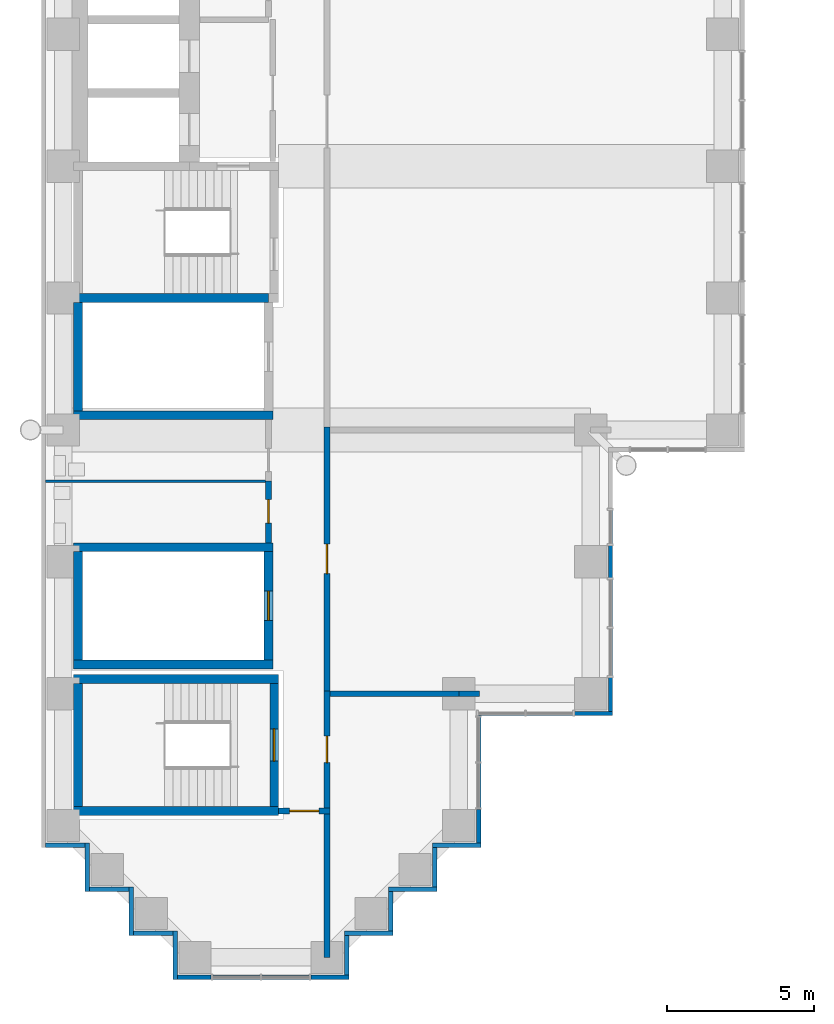
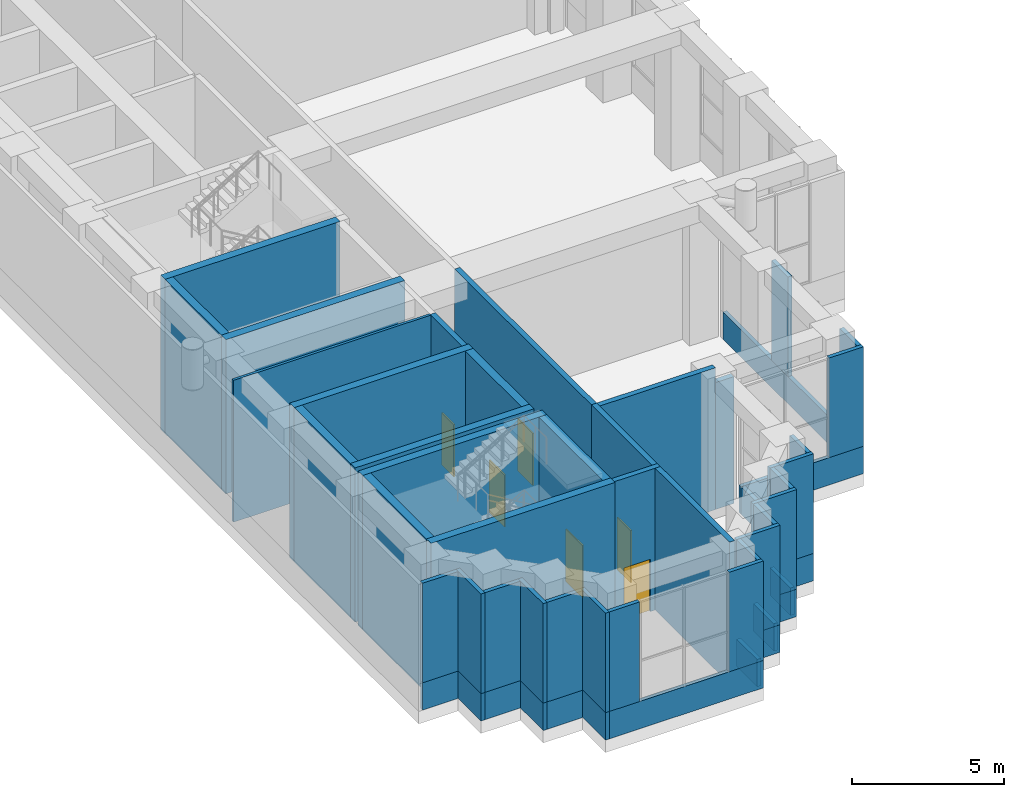
# One storey, part 13 of 22: 53 walls, 6 doors, 6 openings.
"""IFC4 building model written with IfcOpenShell, lengths in metres."""

from ifc_helpers import new_model, si_unit, direction, frame, frame_2d, origin, place, context, subcontext, project, spatial, rectangle, extrude, material, layer, layer_set, type_object, element, fill, save


model = new_model("IFC4")

# Units and contexts
model_context = context("Model", 3, precision=1e-05, world=origin(), true_north=direction((0.0, 1.0)))
body_context = subcontext(model_context, "Body", "Model", "MODEL_VIEW")
ifc_project = project(units=[si_unit("LENGTHUNIT", "METRE"), si_unit("AREAUNIT", "SQUARE_METRE"), si_unit("VOLUMEUNIT", "CUBIC_METRE"), si_unit("PLANEANGLEUNIT", "RADIAN"), si_unit("MASSUNIT", "GRAM", prefix="KILO")], contexts=[model_context])

# Site, building, storey
site_placement = place(None, origin())
site = spatial("IfcSite", under=ifc_project, at=site_placement, CompositionType="ELEMENT")
building_placement = place(site_placement, origin())
building = spatial("IfcBuilding", under=site, at=building_placement, Name="Firuza Court", CompositionType="ELEMENT")
storey_placement = place(building_placement, frame((0.0, 0.0, 113.60009765625)))
storey = spatial("IfcBuildingStorey", under=building, at=storey_placement, Name="L28", CompositionType="ELEMENT", Elevation=113.60009765625)

# Walls
ifc_material_1 = material(Name="Moisture-resistant gypsum board partition")
ifc_layer_1 = layer(ifc_material_1, 0.10009765625)
ifc_layer_set_1 = layer_set([ifc_layer_1], Name="Moisture-resistant gypsum board partition")
wall_type_1 = type_object("IfcWallType", Name="Bathroom partition 100", PredefinedType="PLUMBINGWALL", material=ifc_layer_set_1)
wall_1_placement = place(storey_placement, frame((-0.60009765625, 16.25, 0.0), z_axis=(0.0, 0.0, 1.0), x_axis=(1.0, 0.0, 0.0)))
element("IfcWall", 1, at=wall_1_placement, inside=storey, type_object=wall_type_1, Name="Bathroom partition 100 L28", PredefinedType="PLUMBINGWALL", context=body_context, shape_type="SweptSolid", body=[
    extrude(rectangle(XDim=7.5, YDim=0.10009765625, at=frame_2d((3.75, 0.0))), origin(), (0.0, 0.0, 1.0), 5.699951171875),
])
ifc_material_2 = material(Name="Concrete C60/75", Category="concrete")
ifc_layer_2 = layer(ifc_material_2, 0.300048828125)
ifc_layer_set_2 = layer_set([ifc_layer_2], Name="Concrete C60/75")
wall_type_2 = type_object("IfcWallType", Name="Core wall 300 C60/75", PredefinedType="SHEAR", material=ifc_layer_set_2)
for number, where, z_axis, x_axis, name in (
    (2, (0.35009765625, 5.0, -0.5), (0.0, 0.0, 1.0), (1.0, 0.0, 0.0), "Core wall stair L28"),
    (3, (0.35009765625, 9.5, -0.5), (0.0, 0.0, 1.0), (1.0, 0.0, 0.0), "Core wall stair L28"),
):
    element("IfcWall", number, at=place(storey_placement, frame(where, z_axis=z_axis, x_axis=x_axis)), inside=storey, type_object=wall_type_2, Name=name, PredefinedType="SHEAR", context=body_context, shape_type="SweptSolid", body=[
        extrude(rectangle(XDim=7.0, YDim=0.300048828125, at=frame_2d((3.5, 0.0))), origin(), (0.0, 0.0, 1.0), 6.199951171875),
    ])
for number, where, z_axis, x_axis, name in (
    (4, (0.35009765625, 10.0, -0.5), (0.0, 0.0, 1.0), (1.0, 0.0, 0.0), "Core wall riser L28"),
    (5, (0.35009765625, 14.0, -0.5), (0.0, 0.0, 1.0), (1.0, 0.0, 0.0), "Core wall riser L28"),
    (6, (0.35009765625, 18.5, -0.5), (0.0, 0.0, 1.0), (1.0, 0.0, 0.0), "Core wall riser L28"),
):
    element("IfcWall", number, at=place(storey_placement, frame(where, z_axis=z_axis, x_axis=x_axis)), inside=storey, type_object=wall_type_2, Name=name, PredefinedType="SHEAR", context=body_context, shape_type="SweptSolid", body=[
        extrude(rectangle(XDim=6.7998046875, YDim=0.300048828125, at=frame_2d((3.39990234375, 0.0))), origin(), (0.0, 0.0, 1.0), 6.199951171875),
    ])
wall_2_placement = place(storey_placement, frame((0.35009765625, 22.5, -0.5), z_axis=(0.0, 0.0, 1.0), x_axis=(1.0, 0.0, 0.0)))
element("IfcWall", 7, at=wall_2_placement, inside=storey, type_object=wall_type_2, Name="Core wall riser L28", PredefinedType="SHEAR", context=body_context, shape_type="SweptSolid", body=[
    extrude(rectangle(XDim=6.64990234375, YDim=0.300048828125, at=frame_2d((3.324951171875, 0.0))), origin(), (0.0, 0.0, 1.0), 6.199951171875),
])
wall_3_placement = place(storey_placement, frame((0.5, 5.14990234375, -0.5), z_axis=(0.0, 0.0, 1.0), x_axis=(0.0, 1.0, 0.0)))
element("IfcWall", 8, at=wall_3_placement, inside=storey, type_object=wall_type_2, Name="Core wall stair L28", PredefinedType="SHEAR", context=body_context, shape_type="SweptSolid", body=[
    extrude(rectangle(XDim=4.2001953125, YDim=0.300048828125, at=frame_2d((2.10009765625, 0.0))), origin(), (0.0, 0.0, 1.0), 6.199951171875),
])
for number, where, z_axis, x_axis, name in (
    (9, (0.5, 10.14990234375, -0.5), (0.0, 0.0, 1.0), (0.0, 1.0, 0.0), "Core wall riser L28"),
    (10, (0.5, 18.64990234375, -0.5), (0.0, 0.0, 1.0), (0.0, 1.0, 0.0), "Core wall riser L28"),
):
    element("IfcWall", number, at=place(storey_placement, frame(where, z_axis=z_axis, x_axis=x_axis)), inside=storey, type_object=wall_type_2, Name=name, PredefinedType="SHEAR", context=body_context, shape_type="SweptSolid", body=[
        extrude(rectangle(XDim=3.7001953125, YDim=0.300048828125, at=frame_2d((1.85009765625, 0.0))), origin(), (0.0, 0.0, 1.0), 6.199951171875),
    ])

# Wall, opening, door
wall_4_placement = place(storey_placement, frame((7.0, 10.14990234375, -0.5), z_axis=(0.0, 0.0, 1.0), x_axis=(0.0, 1.0, 0.0)))
wall_4 = element("IfcWall", 11, at=wall_4_placement, inside=storey, type_object=wall_type_2, Name="Core wall riser L28", PredefinedType="SHEAR", context=body_context, shape_type="SweptSolid", body=[
    extrude(rectangle(XDim=3.7001953125, YDim=0.300048828125, at=frame_2d((1.85009765625, 0.0))), origin(), (0.0, 0.0, 1.0), 6.199951171875),
])
opening_1_placement = place(wall_4_placement, frame((1.35009765625, 0.0, 0.5)))
opening_1 = element("IfcOpeningElement", 12, at=opening_1_placement, cuts=wall_4, Name="Opening D28014", PredefinedType="OPENING", context=body_context, shape_type="SweptSolid", body=[
    extrude(rectangle(XDim=1.0, YDim=2.10009765625, at=frame_2d((0.5, 1.050048828125))), frame((0.0, 0.162109375, 0.0), z_axis=(0.0, -1.0, 0.0), x_axis=(1.0, 0.0, 0.0)), (0.0, 0.0, 1.0), 0.323974609375),
])
ifc_material_3 = material(Name="Timber door leaf in hardwood frame", Category="wood")
door_type_1 = type_object("IfcDoorType", Name="Riser door 1000", OperationType="SINGLE_SWING_LEFT", PredefinedType="DOOR", material=ifc_material_3)
door_1_placement = place(opening_1_placement, origin())
door_1 = element("IfcDoor", 13, at=door_1_placement, inside=storey, type_object=door_type_1, Name="Riser door R4", OperationType="SINGLE_SWING_LEFT", OverallHeight=2.10009765625, OverallWidth=1.0, PredefinedType="DOOR", context=body_context, shape_type="SweptSolid", body=[
    extrude(rectangle(XDim=1.0, YDim=2.10009765625, at=frame_2d((0.5, 1.050048828125))), frame((0.0, 0.02490234375, 0.0), z_axis=(0.0, -1.0, 0.0), x_axis=(1.0, 0.0, 0.0)), (0.0, 0.0, 1.0), 0.050048828125),
])
fill(opening_1, door_1)

wall_5_placement = place(storey_placement, frame((7.199951171875, 5.14990234375, -0.5), z_axis=(0.0, 0.0, 1.0), x_axis=(0.0, 1.0, 0.0)))
wall_5 = element("IfcWall", 14, at=wall_5_placement, inside=storey, type_object=wall_type_2, Name="Core wall stair L28", PredefinedType="SHEAR", context=body_context, shape_type="SweptSolid", body=[
    extrude(rectangle(XDim=4.2001953125, YDim=0.300048828125, at=frame_2d((2.10009765625, 0.0))), origin(), (0.0, 0.0, 1.0), 6.199951171875),
])
opening_2_placement = place(wall_5_placement, frame((1.550048828125, 0.0, 0.5)))
opening_2 = element("IfcOpeningElement", 15, at=opening_2_placement, cuts=wall_5, Name="Opening D28020", PredefinedType="OPENING", context=body_context, shape_type="SweptSolid", body=[
    extrude(rectangle(XDim=1.10009765625, YDim=2.10009765625, at=frame_2d((0.550048828125, 1.050048828125))), frame((0.0, 0.162109375, 0.0), z_axis=(0.0, -1.0, 0.0), x_axis=(1.0, 0.0, 0.0)), (0.0, 0.0, 1.0), 0.323974609375),
])
ifc_material_4 = material(Name="Timber door leaf in hardwood frame", Category="wood")
door_type_2 = type_object("IfcDoorType", Name="Stair door 1100", OperationType="SINGLE_SWING_LEFT", PredefinedType="DOOR", material=ifc_material_4)
door_2_placement = place(opening_2_placement, origin())
door_2 = element("IfcDoor", 16, at=door_2_placement, inside=storey, type_object=door_type_2, Name="Stair door S5", OperationType="SINGLE_SWING_LEFT", OverallHeight=2.10009765625, OverallWidth=1.10009765625, PredefinedType="DOOR", context=body_context, shape_type="SweptSolid", body=[
    extrude(rectangle(XDim=1.10009765625, YDim=2.10009765625, at=frame_2d((0.550048828125, 1.050048828125))), frame((0.0, 0.02490234375, 0.0), z_axis=(0.0, -1.0, 0.0), x_axis=(1.0, 0.0, 0.0)), (0.0, 0.0, 1.0), 0.050048828125),
])
fill(opening_2, door_2)

ifc_material_5 = material(Name="Blockwork, plastered both sides", Category="masonry")
ifc_layer_3 = layer(ifc_material_5, 0.199951171875)
ifc_layer_set_3 = layer_set([ifc_layer_3], Name="Blockwork, plastered both sides")
wall_type_3 = type_object("IfcWallType", Name="Corridor wall 200", PredefinedType="PARTITIONING", material=ifc_layer_set_3)
wall_6_placement = place(storey_placement, frame((9.0, 5.10009765625, 0.0), z_axis=(0.0, 0.0, 1.0), x_axis=(0.0, 1.0, 0.0)))
wall_6 = element("IfcWall", 17, at=wall_6_placement, inside=storey, type_object=wall_type_3, Name="Corridor wall 200 L28", PredefinedType="PARTITIONING", context=body_context, shape_type="SweptSolid", body=[
    extrude(rectangle(XDim=4.0, YDim=0.199951171875, at=frame_2d((2.0, 0.0))), origin(), (0.0, 0.0, 1.0), 5.699951171875),
])
opening_3_placement = place(wall_6_placement, frame((1.550048828125, 0.0, 0.0)))
opening_3 = element("IfcOpeningElement", 18, at=opening_3_placement, cuts=wall_6, Name="Opening D28022", PredefinedType="OPENING", context=body_context, shape_type="SweptSolid", body=[
    extrude(rectangle(XDim=0.89990234375, YDim=2.10009765625, at=frame_2d((0.449951171875, 1.050048828125))), frame((0.0, 0.11181640625, 0.0), z_axis=(0.0, -1.0, 0.0), x_axis=(1.0, 0.0, 0.0)), (0.0, 0.0, 1.0), 0.223876953125),
])
ifc_material_6 = material(Name="Timber door leaf in hardwood frame", Category="wood")
door_type_3 = type_object("IfcDoorType", Name="Room door 900 EI 30", OperationType="SINGLE_SWING_LEFT", PredefinedType="DOOR", material=ifc_material_6)
door_3_placement = place(opening_3_placement, frame((0.89990234375, 0.0, 0.0), z_axis=(0.0, 0.0, 1.0), x_axis=(-1.0, 0.0, 0.0)))
door_3 = element("IfcDoor", 19, at=door_3_placement, inside=storey, type_object=door_type_3, Name="Room door", OperationType="SINGLE_SWING_LEFT", OverallHeight=2.10009765625, OverallWidth=0.89990234375, PredefinedType="DOOR", context=body_context, shape_type="SweptSolid", body=[
    extrude(rectangle(XDim=0.89990234375, YDim=2.10009765625, at=frame_2d((0.449951171875, 1.050048828125))), frame((0.0, 0.02490234375, 0.0), z_axis=(0.0, -1.0, 0.0), x_axis=(1.0, 0.0, 0.0)), (0.0, 0.0, 1.0), 0.050048828125),
])
fill(opening_3, door_3)

wall_7_placement = place(storey_placement, frame((7.0, 16.25, 0.0), z_axis=(0.0, 0.0, 1.0), x_axis=(0.0, -1.0, 0.0)))
wall_7 = element("IfcWall", 20, at=wall_7_placement, inside=storey, type_object=wall_type_3, Name="Corridor wall 200 L28", PredefinedType="PARTITIONING", context=body_context, shape_type="SweptSolid", body=[
    extrude(rectangle(XDim=2.10009765625, YDim=0.199951171875, at=frame_2d((1.050048828125, 0.0))), origin(), (0.0, 0.0, 1.0), 5.699951171875),
])
opening_4_placement = place(wall_7_placement, frame((0.625, 0.0, 0.0)))
opening_4 = element("IfcOpeningElement", 21, at=opening_4_placement, cuts=wall_7, Name="Opening D28024", PredefinedType="OPENING", context=body_context, shape_type="SweptSolid", body=[
    extrude(rectangle(XDim=0.800048828125, YDim=2.10009765625, at=frame_2d((0.39990234375, 1.050048828125))), frame((0.0, 0.11181640625, 0.0), z_axis=(0.0, -1.0, 0.0), x_axis=(1.0, 0.0, 0.0)), (0.0, 0.0, 1.0), 0.223876953125),
])
ifc_material_7 = material(Name="Timber door leaf in hardwood frame", Category="wood")
door_type_4 = type_object("IfcDoorType", Name="Room door 800 EI 30", OperationType="SINGLE_SWING_LEFT", PredefinedType="DOOR", material=ifc_material_7)
door_4_placement = place(opening_4_placement, frame((0.800048828125, 0.0, 0.0), z_axis=(0.0, 0.0, 1.0), x_axis=(-1.0, 0.0, 0.0)))
door_4 = element("IfcDoor", 22, at=door_4_placement, inside=storey, type_object=door_type_4, Name="Room door", OperationType="SINGLE_SWING_RIGHT", OverallHeight=2.10009765625, OverallWidth=0.800048828125, PredefinedType="DOOR", context=body_context, shape_type="SweptSolid", body=[
    extrude(rectangle(XDim=0.800048828125, YDim=2.10009765625, at=frame_2d((0.39990234375, 1.050048828125))), frame((0.0, 0.02490234375, 0.0), z_axis=(0.0, -1.0, 0.0), x_axis=(1.0, 0.0, 0.0)), (0.0, 0.0, 1.0), 0.050048828125),
])
fill(opening_4, door_4)

# Wall
ifc_material_8 = material(Name="Blockwork, fire-rated", Category="masonry")
ifc_layer_4 = layer(ifc_material_8, 0.199951171875)
ifc_layer_set_4 = layer_set([ifc_layer_4], Name="Blockwork, fire-rated")
wall_type_4 = type_object("IfcWallType", Name="Plant room wall 200", PredefinedType="PARTITIONING", material=ifc_layer_set_4)
wall_8_placement = place(storey_placement, frame((9.0, 0.0, 0.0), z_axis=(0.0, 0.0, 1.0), x_axis=(0.0, 1.0, 0.0)))
element("IfcWall", 23, at=wall_8_placement, inside=storey, type_object=wall_type_4, Name="Plant room wall 200 L28", PredefinedType="PARTITIONING", context=body_context, shape_type="SweptSolid", body=[
    extrude(rectangle(XDim=4.89990234375, YDim=0.199951171875, at=frame_2d((2.449951171875, 0.0))), origin(), (0.0, 0.0, 1.0), 5.699951171875),
])

# Wall, opening, door
wall_9_placement = place(storey_placement, frame((7.35009765625, 5.0, 0.0), z_axis=(0.0, 0.0, 1.0), x_axis=(1.0, 0.0, 0.0)))
wall_9 = element("IfcWall", 24, at=wall_9_placement, inside=storey, type_object=wall_type_4, Name="Plant room wall 200 L28", PredefinedType="PARTITIONING", context=body_context, shape_type="SweptSolid", body=[
    extrude(rectangle(XDim=1.75, YDim=0.199951171875, at=frame_2d((0.875, 0.0))), origin(), (0.0, 0.0, 1.0), 5.699951171875),
])
opening_5_placement = place(wall_9_placement, frame((0.375, 0.0, 0.0)))
opening_5 = element("IfcOpeningElement", 25, at=opening_5_placement, cuts=wall_9, Name="Opening D28021", PredefinedType="OPENING", context=body_context, shape_type="SweptSolid", body=[
    extrude(rectangle(XDim=1.0, YDim=2.10009765625, at=frame_2d((0.5, 1.050048828125))), frame((0.0, 0.11181640625, 0.0), z_axis=(0.0, -1.0, 0.0), x_axis=(1.0, 0.0, 0.0)), (0.0, 0.0, 1.0), 0.223876953125),
])
ifc_material_9 = material(Name="Timber door leaf in hardwood frame", Category="wood")
door_type_5 = type_object("IfcDoorType", Name="Store door 1000", OperationType="SINGLE_SWING_LEFT", PredefinedType="DOOR", material=ifc_material_9)
door_5_placement = place(opening_5_placement, frame((1.0, 0.0, 0.0), z_axis=(0.0, 0.0, 1.0), x_axis=(-1.0, 0.0, 0.0)))
door_5 = element("IfcDoor", 26, at=door_5_placement, inside=storey, type_object=door_type_5, Name="Store door", OperationType="SINGLE_SWING_LEFT", OverallHeight=2.10009765625, OverallWidth=1.0, PredefinedType="DOOR", context=body_context, shape_type="SweptSolid", body=[
    extrude(rectangle(XDim=1.0, YDim=2.10009765625, at=frame_2d((0.5, 1.050048828125))), frame((0.0, 0.02490234375, 0.0), z_axis=(0.0, -1.0, 0.0), x_axis=(1.0, 0.0, 0.0)), (0.0, 0.0, 1.0), 0.050048828125),
])
fill(opening_5, door_5)

wall_10_placement = place(storey_placement, frame((9.0, 9.10009765625, 0.0), z_axis=(0.0, 0.0, 1.0), x_axis=(0.0, 1.0, 0.0)))
wall_10 = element("IfcWall", 27, at=wall_10_placement, inside=storey, type_object=wall_type_4, Name="Plant room wall 200 L28", PredefinedType="PARTITIONING", context=body_context, shape_type="SweptSolid", body=[
    extrude(rectangle(XDim=9.0, YDim=0.199951171875, at=frame_2d((4.5, 0.0))), origin(), (0.0, 0.0, 1.0), 5.699951171875),
])
opening_6_placement = place(wall_10_placement, frame((4.0, 0.0, 0.0)))
opening_6 = element("IfcOpeningElement", 28, at=opening_6_placement, cuts=wall_10, Name="Opening D28023", PredefinedType="OPENING", context=body_context, shape_type="SweptSolid", body=[
    extrude(rectangle(XDim=1.0, YDim=2.10009765625, at=frame_2d((0.5, 1.050048828125))), frame((0.0, 0.11181640625, 0.0), z_axis=(0.0, -1.0, 0.0), x_axis=(1.0, 0.0, 0.0)), (0.0, 0.0, 1.0), 0.223876953125),
])
door_6_placement = place(opening_6_placement, frame((1.0, 0.0, 0.0), z_axis=(0.0, 0.0, 1.0), x_axis=(-1.0, 0.0, 0.0)))
door_6 = element("IfcDoor", 29, at=door_6_placement, inside=storey, type_object=door_type_5, Name="Store door", OperationType="SINGLE_SWING_LEFT", OverallHeight=2.10009765625, OverallWidth=1.0, PredefinedType="DOOR", context=body_context, shape_type="SweptSolid", body=[
    extrude(rectangle(XDim=1.0, YDim=2.10009765625, at=frame_2d((0.5, 1.050048828125))), frame((0.0, 0.02490234375, 0.0), z_axis=(0.0, -1.0, 0.0), x_axis=(1.0, 0.0, 0.0)), (0.0, 0.0, 1.0), 0.050048828125),
])
fill(opening_6, door_6)

# Walls
wall_11_placement = place(storey_placement, frame((13.5, 9.0, 0.0), z_axis=(0.0, 0.0, 1.0), x_axis=(-1.0, 0.0, 0.0)))
element("IfcWall", 30, at=wall_11_placement, inside=storey, type_object=wall_type_4, Name="Plant room wall 200 L28", PredefinedType="PARTITIONING", context=body_context, shape_type="SweptSolid", body=[
    extrude(rectangle(XDim=4.39990234375, YDim=0.199951171875, at=frame_2d((2.199951171875, 0.0))), origin(), (0.0, 0.0, 1.0), 5.699951171875),
])
wall_12_placement = place(storey_placement, frame((14.199951171875, 9.0, 0.0), z_axis=(0.0, 0.0, 1.0), x_axis=(-1.0, 0.0, 0.0)))
element("IfcWall", 31, at=wall_12_placement, inside=storey, type_object=wall_type_4, Name="Plant room wall 200 L28", PredefinedType="PARTITIONING", context=body_context, shape_type="SweptSolid", body=[
    extrude(rectangle(XDim=0.699951171875, YDim=0.199951171875, at=frame_2d((0.35009765625, 0.0))), origin(), (0.0, 0.0, 1.0), 5.099853515625),
])
ifc_material_10 = material(Name="Ceramic tile", Category="ceramic")
ifc_layer_5 = layer(ifc_material_10, 0.02001953125)
ifc_material_11 = material(Name="Mineral wool insulation", Category="insulation")
ifc_layer_6 = layer(ifc_material_11, 0.050048828125)
ifc_material_12 = material(Name="Concrete C40/50 precast", Category="concrete")
ifc_layer_7 = layer(ifc_material_12, 0.080078125)
ifc_layer_set_5 = layer_set([ifc_layer_5, ifc_layer_6, ifc_layer_7], Name="Concrete C40/50 precast")
wall_type_5 = type_object("IfcWallType", Name="Precast cladding wall with turquoise TILE PANEL face 150", PredefinedType="STANDARD", material=ifc_layer_set_5)
wall_13_placement = place(storey_placement, frame((9.675048828125, -0.60009765625, 0.0), z_axis=(0.0, 0.0, 1.0), x_axis=(0.0, 1.0, 0.0)))
element("IfcWall", 32, at=wall_13_placement, inside=storey, type_object=wall_type_5, Name="Facade kerb wall L28 E", PredefinedType="STANDARD", context=body_context, shape_type="SweptSolid", body=[
    extrude(rectangle(XDim=1.35009765625, YDim=0.14990234375, at=frame_2d((0.675048828125, 0.0))), origin(), (0.0, 0.0, 1.0), 1.099853515625),
])
wall_14_placement = place(storey_placement, frame((9.60009765625, 0.824951171875, 0.0), z_axis=(0.0, 0.0, 1.0), x_axis=(1.0, 0.0, 0.0)))
element("IfcWall", 33, at=wall_14_placement, inside=storey, type_object=wall_type_5, Name="Facade kerb wall L28 S", PredefinedType="STANDARD", context=body_context, shape_type="SweptSolid", body=[
    extrude(rectangle(XDim=1.64990234375, YDim=0.14990234375, at=frame_2d((0.824951171875, 0.0))), origin(), (0.0, 0.0, 1.0), 1.099853515625),
])
wall_15_placement = place(storey_placement, frame((11.175048828125, 0.89990234375, 0.0), z_axis=(0.0, 0.0, 1.0), x_axis=(0.0, 1.0, 0.0)))
element("IfcWall", 34, at=wall_15_placement, inside=storey, type_object=wall_type_5, Name="Facade kerb wall L28 E", PredefinedType="STANDARD", context=body_context, shape_type="SweptSolid", body=[
    extrude(rectangle(XDim=1.35009765625, YDim=0.14990234375, at=frame_2d((0.675048828125, 0.0))), origin(), (0.0, 0.0, 1.0), 1.099853515625),
])
wall_16_placement = place(storey_placement, frame((11.10009765625, 2.324951171875, 0.0), z_axis=(0.0, 0.0, 1.0), x_axis=(1.0, 0.0, 0.0)))
element("IfcWall", 35, at=wall_16_placement, inside=storey, type_object=wall_type_5, Name="Facade kerb wall L28 S", PredefinedType="STANDARD", context=body_context, shape_type="SweptSolid", body=[
    extrude(rectangle(XDim=1.64990234375, YDim=0.14990234375, at=frame_2d((0.824951171875, 0.0))), origin(), (0.0, 0.0, 1.0), 1.099853515625),
])
wall_17_placement = place(storey_placement, frame((12.675048828125, 2.39990234375, 0.0), z_axis=(0.0, 0.0, 1.0), x_axis=(0.0, 1.0, 0.0)))
element("IfcWall", 36, at=wall_17_placement, inside=storey, type_object=wall_type_5, Name="Facade kerb wall L28 E", PredefinedType="STANDARD", context=body_context, shape_type="SweptSolid", body=[
    extrude(rectangle(XDim=1.35009765625, YDim=0.14990234375, at=frame_2d((0.675048828125, 0.0))), origin(), (0.0, 0.0, 1.0), 1.099853515625),
])
wall_18_placement = place(storey_placement, frame((12.60009765625, 3.824951171875, 0.0), z_axis=(0.0, 0.0, 1.0), x_axis=(1.0, 0.0, 0.0)))
element("IfcWall", 37, at=wall_18_placement, inside=storey, type_object=wall_type_5, Name="Facade kerb wall L28 S", PredefinedType="STANDARD", context=body_context, shape_type="SweptSolid", body=[
    extrude(rectangle(XDim=1.64990234375, YDim=0.14990234375, at=frame_2d((0.824951171875, 0.0))), origin(), (0.0, 0.0, 1.0), 1.099853515625),
])
wall_19_placement = place(storey_placement, frame((14.175048828125, 3.89990234375, 0.0), z_axis=(0.0, 0.0, 1.0), x_axis=(0.0, 1.0, 0.0)))
element("IfcWall", 38, at=wall_19_placement, inside=storey, type_object=wall_type_5, Name="Facade kerb wall L28 E", PredefinedType="STANDARD", context=body_context, shape_type="SweptSolid", body=[
    extrude(rectangle(XDim=4.35009765625, YDim=0.14990234375, at=frame_2d((2.175048828125, 0.0))), origin(), (0.0, 0.0, 1.0), 1.099853515625),
])
wall_20_placement = place(storey_placement, frame((14.10009765625, 8.324951171875, 0.0), z_axis=(0.0, 0.0, 1.0), x_axis=(1.0, 0.0, 0.0)))
element("IfcWall", 39, at=wall_20_placement, inside=storey, type_object=wall_type_5, Name="Facade kerb wall L28 S", PredefinedType="STANDARD", context=body_context, shape_type="SweptSolid", body=[
    extrude(rectangle(XDim=4.64990234375, YDim=0.14990234375, at=frame_2d((2.324951171875, 0.0))), origin(), (0.0, 0.0, 1.0), 1.099853515625),
])
wall_21_placement = place(storey_placement, frame((18.675048828125, 8.39990234375, 0.0), z_axis=(0.0, 0.0, 1.0), x_axis=(0.0, 1.0, 0.0)))
element("IfcWall", 40, at=wall_21_placement, inside=storey, type_object=wall_type_5, Name="Facade kerb wall L28 E", PredefinedType="STANDARD", context=body_context, shape_type="SweptSolid", body=[
    extrude(rectangle(XDim=8.85009765625, YDim=0.14990234375, at=frame_2d((4.425048828125, 0.0))), origin(), (0.0, 0.0, 1.0), 1.099853515625),
])
wall_22_placement = place(storey_placement, frame((-0.60009765625, 3.824951171875, 0.0), z_axis=(0.0, 0.0, 1.0), x_axis=(1.0, 0.0, 0.0)))
element("IfcWall", 41, at=wall_22_placement, inside=storey, type_object=wall_type_5, Name="Facade kerb wall L28 S", PredefinedType="STANDARD", context=body_context, shape_type="SweptSolid", body=[
    extrude(rectangle(XDim=1.35009765625, YDim=0.14990234375, at=frame_2d((0.675048828125, 0.0))), origin(), (0.0, 0.0, 1.0), 1.099853515625),
])
wall_23_placement = place(storey_placement, frame((0.824951171875, 3.89990234375, 0.0), z_axis=(0.0, 0.0, 1.0), x_axis=(0.0, -1.0, 0.0)))
element("IfcWall", 42, at=wall_23_placement, inside=storey, type_object=wall_type_5, Name="Facade kerb wall L28 W", PredefinedType="STANDARD", context=body_context, shape_type="SweptSolid", body=[
    extrude(rectangle(XDim=1.64990234375, YDim=0.14990234375, at=frame_2d((0.824951171875, 0.0))), origin(), (0.0, 0.0, 1.0), 1.099853515625),
])
wall_24_placement = place(storey_placement, frame((0.89990234375, 2.324951171875, 0.0), z_axis=(0.0, 0.0, 1.0), x_axis=(1.0, 0.0, 0.0)))
element("IfcWall", 43, at=wall_24_placement, inside=storey, type_object=wall_type_5, Name="Facade kerb wall L28 S", PredefinedType="STANDARD", context=body_context, shape_type="SweptSolid", body=[
    extrude(rectangle(XDim=1.35009765625, YDim=0.14990234375, at=frame_2d((0.675048828125, 0.0))), origin(), (0.0, 0.0, 1.0), 1.099853515625),
])
wall_25_placement = place(storey_placement, frame((2.324951171875, 2.39990234375, 0.0), z_axis=(0.0, 0.0, 1.0), x_axis=(0.0, -1.0, 0.0)))
element("IfcWall", 44, at=wall_25_placement, inside=storey, type_object=wall_type_5, Name="Facade kerb wall L28 W", PredefinedType="STANDARD", context=body_context, shape_type="SweptSolid", body=[
    extrude(rectangle(XDim=1.64990234375, YDim=0.14990234375, at=frame_2d((0.824951171875, 0.0))), origin(), (0.0, 0.0, 1.0), 1.099853515625),
])
wall_26_placement = place(storey_placement, frame((2.39990234375, 0.824951171875, 0.0), z_axis=(0.0, 0.0, 1.0), x_axis=(1.0, 0.0, 0.0)))
element("IfcWall", 45, at=wall_26_placement, inside=storey, type_object=wall_type_5, Name="Facade kerb wall L28 S", PredefinedType="STANDARD", context=body_context, shape_type="SweptSolid", body=[
    extrude(rectangle(XDim=1.35009765625, YDim=0.14990234375, at=frame_2d((0.675048828125, 0.0))), origin(), (0.0, 0.0, 1.0), 1.099853515625),
])
wall_27_placement = place(storey_placement, frame((3.824951171875, 0.89990234375, 0.0), z_axis=(0.0, 0.0, 1.0), x_axis=(0.0, -1.0, 0.0)))
element("IfcWall", 46, at=wall_27_placement, inside=storey, type_object=wall_type_5, Name="Facade kerb wall L28 W", PredefinedType="STANDARD", context=body_context, shape_type="SweptSolid", body=[
    extrude(rectangle(XDim=1.64990234375, YDim=0.14990234375, at=frame_2d((0.824951171875, 0.0))), origin(), (0.0, 0.0, 1.0), 1.099853515625),
])
wall_28_placement = place(storey_placement, frame((3.89990234375, -0.675048828125, 0.0), z_axis=(0.0, 0.0, 1.0), x_axis=(1.0, 0.0, 0.0)))
element("IfcWall", 47, at=wall_28_placement, inside=storey, type_object=wall_type_5, Name="Facade kerb wall L28 S", PredefinedType="STANDARD", context=body_context, shape_type="SweptSolid", body=[
    extrude(rectangle(XDim=5.85009765625, YDim=0.14990234375, at=frame_2d((2.925048828125, 0.0))), origin(), (0.0, 0.0, 1.0), 1.099853515625),
])
wall_29_placement = place(storey_placement, frame((9.675048828125, -0.60009765625, 1.099853515625), z_axis=(0.0, 0.0, 1.0), x_axis=(0.0, 1.0, 0.0)))
element("IfcWall", 48, at=wall_29_placement, inside=storey, type_object=wall_type_5, Name="Facade wall L28 E", PredefinedType="STANDARD", context=body_context, shape_type="SweptSolid", body=[
    extrude(rectangle(XDim=1.35009765625, YDim=0.14990234375, at=frame_2d((0.675048828125, 0.0))), origin(), (0.0, 0.0, 1.0), 4.0),
])
wall_30_placement = place(storey_placement, frame((9.60009765625, 0.824951171875, 1.099853515625), z_axis=(0.0, 0.0, 1.0), x_axis=(1.0, 0.0, 0.0)))
element("IfcWall", 49, at=wall_30_placement, inside=storey, type_object=wall_type_5, Name="Facade wall L28 S", PredefinedType="STANDARD", context=body_context, shape_type="SweptSolid", body=[
    extrude(rectangle(XDim=1.64990234375, YDim=0.14990234375, at=frame_2d((0.824951171875, 0.0))), origin(), (0.0, 0.0, 1.0), 4.0),
])
wall_31_placement = place(storey_placement, frame((11.175048828125, 0.89990234375, 1.099853515625), z_axis=(0.0, 0.0, 1.0), x_axis=(0.0, 1.0, 0.0)))
element("IfcWall", 50, at=wall_31_placement, inside=storey, type_object=wall_type_5, Name="Facade wall L28 E", PredefinedType="STANDARD", context=body_context, shape_type="SweptSolid", body=[
    extrude(rectangle(XDim=1.35009765625, YDim=0.14990234375, at=frame_2d((0.675048828125, 0.0))), origin(), (0.0, 0.0, 1.0), 4.0),
])
wall_32_placement = place(storey_placement, frame((11.10009765625, 2.324951171875, 1.099853515625), z_axis=(0.0, 0.0, 1.0), x_axis=(1.0, 0.0, 0.0)))
element("IfcWall", 51, at=wall_32_placement, inside=storey, type_object=wall_type_5, Name="Facade wall L28 S", PredefinedType="STANDARD", context=body_context, shape_type="SweptSolid", body=[
    extrude(rectangle(XDim=1.64990234375, YDim=0.14990234375, at=frame_2d((0.824951171875, 0.0))), origin(), (0.0, 0.0, 1.0), 4.0),
])
wall_33_placement = place(storey_placement, frame((12.675048828125, 2.39990234375, 1.099853515625), z_axis=(0.0, 0.0, 1.0), x_axis=(0.0, 1.0, 0.0)))
element("IfcWall", 52, at=wall_33_placement, inside=storey, type_object=wall_type_5, Name="Facade wall L28 E", PredefinedType="STANDARD", context=body_context, shape_type="SweptSolid", body=[
    extrude(rectangle(XDim=1.35009765625, YDim=0.14990234375, at=frame_2d((0.675048828125, 0.0))), origin(), (0.0, 0.0, 1.0), 4.0),
])
wall_34_placement = place(storey_placement, frame((12.60009765625, 3.824951171875, 1.099853515625), z_axis=(0.0, 0.0, 1.0), x_axis=(1.0, 0.0, 0.0)))
element("IfcWall", 53, at=wall_34_placement, inside=storey, type_object=wall_type_5, Name="Facade wall L28 S", PredefinedType="STANDARD", context=body_context, shape_type="SweptSolid", body=[
    extrude(rectangle(XDim=1.64990234375, YDim=0.14990234375, at=frame_2d((0.824951171875, 0.0))), origin(), (0.0, 0.0, 1.0), 4.0),
])
wall_35_placement = place(storey_placement, frame((14.175048828125, 3.89990234375, 1.099853515625), z_axis=(0.0, 0.0, 1.0), x_axis=(0.0, 1.0, 0.0)))
element("IfcWall", 54, at=wall_35_placement, inside=storey, type_object=wall_type_5, Name="Facade wall L28 E", PredefinedType="STANDARD", context=body_context, shape_type="SweptSolid", body=[
    extrude(rectangle(XDim=1.150146484375, YDim=0.14990234375, at=frame_2d((0.5751953125, 0.0))), origin(), (0.0, 0.0, 1.0), 4.0),
])
wall_36_placement = place(storey_placement, frame((17.449951171875, 8.324951171875, 1.099853515625), z_axis=(0.0, 0.0, 1.0), x_axis=(1.0, 0.0, 0.0)))
element("IfcWall", 55, at=wall_36_placement, inside=storey, type_object=wall_type_5, Name="Facade wall L28 S", PredefinedType="STANDARD", context=body_context, shape_type="SweptSolid", body=[
    extrude(rectangle(XDim=1.300048828125, YDim=0.14990234375, at=frame_2d((0.64990234375, 0.0))), origin(), (0.0, 0.0, 1.0), 4.0),
])
wall_37_placement = place(storey_placement, frame((18.675048828125, 8.39990234375, 1.099853515625), z_axis=(0.0, 0.0, 1.0), x_axis=(0.0, 1.0, 0.0)))
element("IfcWall", 56, at=wall_37_placement, inside=storey, type_object=wall_type_5, Name="Facade wall L28 E", PredefinedType="STANDARD", context=body_context, shape_type="SweptSolid", body=[
    extrude(rectangle(XDim=1.150146484375, YDim=0.14990234375, at=frame_2d((0.5751953125, 0.0))), origin(), (0.0, 0.0, 1.0), 4.0),
])
wall_38_placement = place(storey_placement, frame((18.675048828125, 12.949951171875, 1.099853515625), z_axis=(0.0, 0.0, 1.0), x_axis=(0.0, 1.0, 0.0)))
element("IfcWall", 57, at=wall_38_placement, inside=storey, type_object=wall_type_5, Name="Facade wall L28 E", PredefinedType="STANDARD", context=body_context, shape_type="SweptSolid", body=[
    extrude(rectangle(XDim=1.10009765625, YDim=0.14990234375, at=frame_2d((0.550048828125, 0.0))), origin(), (0.0, 0.0, 1.0), 4.0),
])
wall_39_placement = place(storey_placement, frame((-0.60009765625, 3.824951171875, 1.099853515625), z_axis=(0.0, 0.0, 1.0), x_axis=(1.0, 0.0, 0.0)))
element("IfcWall", 58, at=wall_39_placement, inside=storey, type_object=wall_type_5, Name="Facade wall L28 S", PredefinedType="STANDARD", context=body_context, shape_type="SweptSolid", body=[
    extrude(rectangle(XDim=1.35009765625, YDim=0.14990234375, at=frame_2d((0.675048828125, 0.0))), origin(), (0.0, 0.0, 1.0), 4.0),
])
wall_40_placement = place(storey_placement, frame((0.824951171875, 3.89990234375, 1.099853515625), z_axis=(0.0, 0.0, 1.0), x_axis=(0.0, -1.0, 0.0)))
element("IfcWall", 59, at=wall_40_placement, inside=storey, type_object=wall_type_5, Name="Facade wall L28 W", PredefinedType="STANDARD", context=body_context, shape_type="SweptSolid", body=[
    extrude(rectangle(XDim=1.64990234375, YDim=0.14990234375, at=frame_2d((0.824951171875, 0.0))), origin(), (0.0, 0.0, 1.0), 4.0),
])
wall_41_placement = place(storey_placement, frame((0.89990234375, 2.324951171875, 1.099853515625), z_axis=(0.0, 0.0, 1.0), x_axis=(1.0, 0.0, 0.0)))
element("IfcWall", 60, at=wall_41_placement, inside=storey, type_object=wall_type_5, Name="Facade wall L28 S", PredefinedType="STANDARD", context=body_context, shape_type="SweptSolid", body=[
    extrude(rectangle(XDim=1.35009765625, YDim=0.14990234375, at=frame_2d((0.675048828125, 0.0))), origin(), (0.0, 0.0, 1.0), 4.0),
])
wall_42_placement = place(storey_placement, frame((2.324951171875, 2.39990234375, 1.099853515625), z_axis=(0.0, 0.0, 1.0), x_axis=(0.0, -1.0, 0.0)))
element("IfcWall", 61, at=wall_42_placement, inside=storey, type_object=wall_type_5, Name="Facade wall L28 W", PredefinedType="STANDARD", context=body_context, shape_type="SweptSolid", body=[
    extrude(rectangle(XDim=1.64990234375, YDim=0.14990234375, at=frame_2d((0.824951171875, 0.0))), origin(), (0.0, 0.0, 1.0), 4.0),
])
wall_43_placement = place(storey_placement, frame((2.39990234375, 0.824951171875, 1.099853515625), z_axis=(0.0, 0.0, 1.0), x_axis=(1.0, 0.0, 0.0)))
element("IfcWall", 62, at=wall_43_placement, inside=storey, type_object=wall_type_5, Name="Facade wall L28 S", PredefinedType="STANDARD", context=body_context, shape_type="SweptSolid", body=[
    extrude(rectangle(XDim=1.35009765625, YDim=0.14990234375, at=frame_2d((0.675048828125, 0.0))), origin(), (0.0, 0.0, 1.0), 4.0),
])
wall_44_placement = place(storey_placement, frame((3.824951171875, 0.89990234375, 1.099853515625), z_axis=(0.0, 0.0, 1.0), x_axis=(0.0, -1.0, 0.0)))
element("IfcWall", 63, at=wall_44_placement, inside=storey, type_object=wall_type_5, Name="Facade wall L28 W", PredefinedType="STANDARD", context=body_context, shape_type="SweptSolid", body=[
    extrude(rectangle(XDim=1.64990234375, YDim=0.14990234375, at=frame_2d((0.824951171875, 0.0))), origin(), (0.0, 0.0, 1.0), 4.0),
])
wall_45_placement = place(storey_placement, frame((3.89990234375, -0.675048828125, 1.099853515625), z_axis=(0.0, 0.0, 1.0), x_axis=(1.0, 0.0, 0.0)))
element("IfcWall", 64, at=wall_45_placement, inside=storey, type_object=wall_type_5, Name="Facade wall L28 S", PredefinedType="STANDARD", context=body_context, shape_type="SweptSolid", body=[
    extrude(rectangle(XDim=1.150146484375, YDim=0.14990234375, at=frame_2d((0.5751953125, 0.0))), origin(), (0.0, 0.0, 1.0), 4.0),
])
wall_46_placement = place(storey_placement, frame((8.449951171875, -0.675048828125, 1.099853515625), z_axis=(0.0, 0.0, 1.0), x_axis=(1.0, 0.0, 0.0)))
element("IfcWall", 65, at=wall_46_placement, inside=storey, type_object=wall_type_5, Name="Facade wall L28 S", PredefinedType="STANDARD", context=body_context, shape_type="SweptSolid", body=[
    extrude(rectangle(XDim=1.300048828125, YDim=0.14990234375, at=frame_2d((0.64990234375, 0.0))), origin(), (0.0, 0.0, 1.0), 4.0),
])

save(model, "model.ifc")
